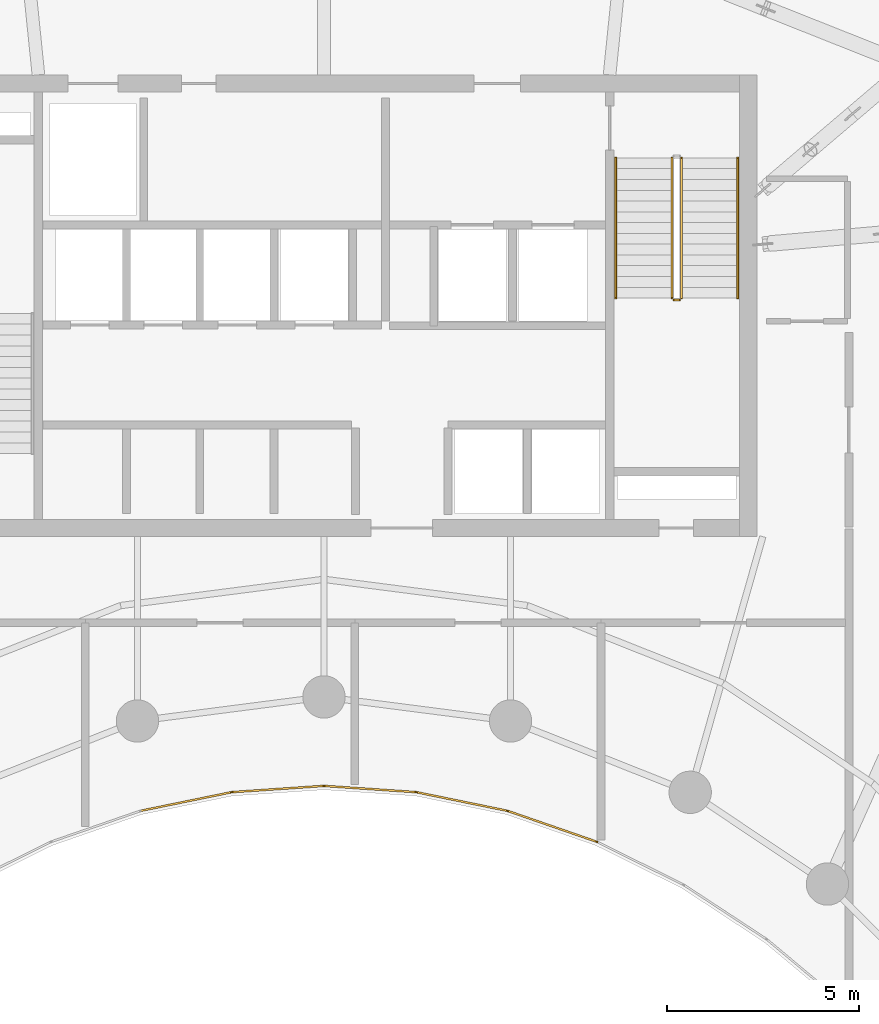
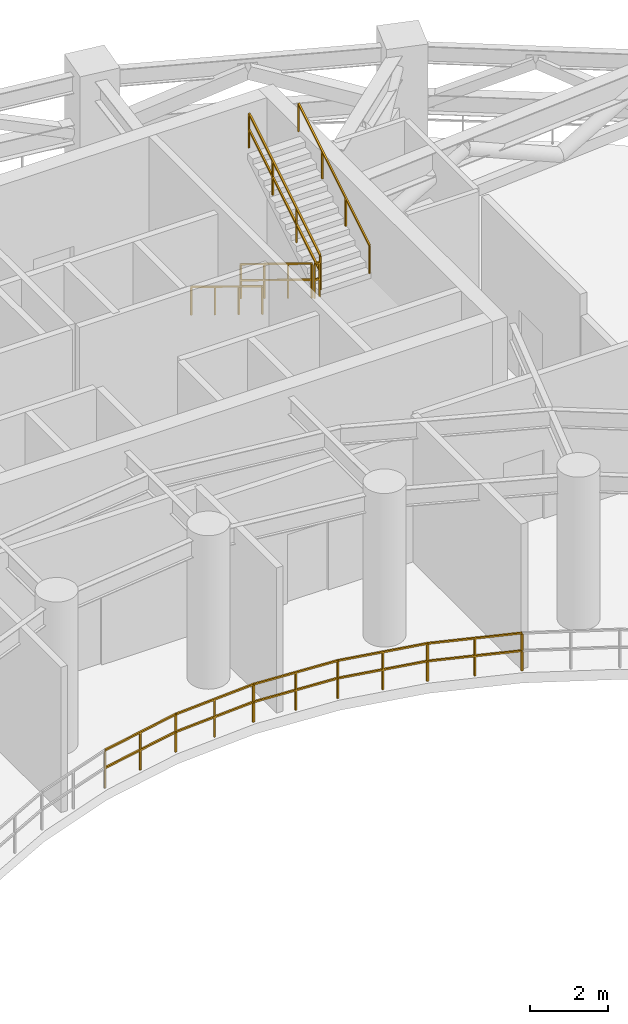
# One storey, part 16 of 19: 15 railings.
"""IFC4 building model written with IfcOpenShell, lengths in metres."""

from ifc_helpers import new_model, si_unit, direction, frame, origin, origin_2d, place, context, subcontext, project, spatial, rectangle, extrude, material, type_object, element, save


model = new_model("IFC4")

# Units and contexts
model_context = context("Model", 3, precision=1e-05, world=origin(), true_north=direction((0.0, 1.0)))
body_context = subcontext(model_context, "Body", "Model", "MODEL_VIEW")
ifc_project = project(units=[si_unit("LENGTHUNIT", "METRE"), si_unit("AREAUNIT", "SQUARE_METRE"), si_unit("VOLUMEUNIT", "CUBIC_METRE"), si_unit("PLANEANGLEUNIT", "RADIAN"), si_unit("MASSUNIT", "GRAM", prefix="KILO")], contexts=[model_context])

# Site, building, storey
site_placement = place(None, origin())
site = spatial("IfcSite", under=ifc_project, at=site_placement, CompositionType="ELEMENT")
building_placement = place(site_placement, origin())
building = spatial("IfcBuilding", under=site, at=building_placement, Name="Breltana Convention Tower", CompositionType="ELEMENT")
storey_placement = place(building_placement, frame((0.0, 0.0, 194.39990234375)))
storey = spatial("IfcBuildingStorey", under=building, at=storey_placement, Name="L47", CompositionType="ELEMENT", Elevation=194.39990234375)

# Railings
ifc_material_1 = material(Name="Steel S275 Painted", Category="steel")
railing_type_1 = type_object("IfcRailingType", Name="RL-STAIR-GUARD-1100", PredefinedType="GUARDRAIL", material=ifc_material_1)
railing_1_placement = place(storey_placement, frame((57.0400390625, 70.0400390625, 0.171630859375)))
element("IfcRailing", 1, at=railing_1_placement, inside=storey, type_object=railing_type_1, Name="L47 ST-2 stair guard 1", PredefinedType="GUARDRAIL", context=body_context, shape_type="SweptSolid", body=[
    extrude(rectangle(XDim=0.048095703125, YDim=0.048095703125, at=origin_2d()), frame((0.0, 0.0, 1.076171875), z_axis=(0.0, -0.852865859571, 0.52213008492), x_axis=(1.0, 0.0, 0.0)), (0.0, 0.0, 1.0), 4.26806640625),
    extrude(rectangle(XDim=0.048095703125, YDim=0.048095703125, at=origin_2d()), frame((0.0, 0.0, 0.572021484375), z_axis=(0.0, -0.852865859571, 0.52213008492), x_axis=(1.0, 0.0, 0.0)), (0.0, 0.0, 1.0), 4.26806640625),
    extrude(rectangle(XDim=0.0419921875, YDim=0.0419921875, at=origin_2d()), origin(), (0.0, 0.0, 1.0), 1.052001953125),
    extrude(rectangle(XDim=0.0419921875, YDim=0.0419921875, at=origin_2d()), frame((0.0, -1.21337890625, 0.742919921875)), (0.0, 0.0, 1.0), 1.052001953125),
    extrude(rectangle(XDim=0.0419921875, YDim=0.0419921875, at=origin_2d()), frame((0.0, -2.4267578125, 1.485595703125)), (0.0, 0.0, 1.0), 1.052001953125),
    extrude(rectangle(XDim=0.0419921875, YDim=0.0419921875, at=origin_2d()), frame((0.0, -3.64013671875, 2.228515625)), (0.0, 0.0, 1.0), 1.052001953125),
])
railing_2_placement = place(storey_placement, frame((57.090087890625, 66.35009765625, 2.400146484375)))
element("IfcRailing", 2, at=railing_2_placement, inside=storey, type_object=railing_type_1, Name="L47 ST-2 stair guard 2", PredefinedType="GUARDRAIL", context=body_context, shape_type="SweptSolid", body=[
    extrude(rectangle(XDim=0.048095703125, YDim=0.048095703125, at=origin_2d()), frame((0.0, 0.0, 1.076171875), z_axis=(1.0, 0.0, 0.0), x_axis=(0.0, 1.0, 0.0)), (0.0, 0.0, 1.0), 0.14990234375),
    extrude(rectangle(XDim=0.048095703125, YDim=0.048095703125, at=origin_2d()), frame((0.0, 0.0, 0.572021484375), z_axis=(1.0, 0.0, 0.0), x_axis=(0.0, 1.0, 0.0)), (0.0, 0.0, 1.0), 0.14990234375),
    extrude(rectangle(XDim=0.0419921875, YDim=0.0419921875, at=origin_2d()), origin(), (0.0, 0.0, 1.0), 1.052001953125),
    extrude(rectangle(XDim=0.0419921875, YDim=0.0419921875, at=origin_2d()), frame((0.14990234375, 0.0, 0.0)), (0.0, 0.0, 1.0), 1.052001953125),
])
railing_3_placement = place(storey_placement, frame((57.2900390625, 66.39990234375, 2.571533203125)))
element("IfcRailing", 3, at=railing_3_placement, inside=storey, type_object=railing_type_1, Name="L47 ST-2 stair guard 3", PredefinedType="GUARDRAIL", context=body_context, shape_type="SweptSolid", body=[
    extrude(rectangle(XDim=0.048095703125, YDim=0.048095703125, at=origin_2d()), frame((0.0, 0.0, 1.076171875), z_axis=(0.0, 0.852865859571, 0.52213008492), x_axis=(-1.0, 0.0, 0.0)), (0.0, 0.0, 1.0), 4.26806640625),
    extrude(rectangle(XDim=0.048095703125, YDim=0.048095703125, at=origin_2d()), frame((0.0, 0.0, 0.572021484375), z_axis=(0.0, 0.852865859571, 0.52213008492), x_axis=(-1.0, 0.0, 0.0)), (0.0, 0.0, 1.0), 4.26806640625),
    extrude(rectangle(XDim=0.0419921875, YDim=0.0419921875, at=origin_2d()), origin(), (0.0, 0.0, 1.0), 1.052001953125),
    extrude(rectangle(XDim=0.0419921875, YDim=0.0419921875, at=origin_2d()), frame((0.0, 1.21337890625, 0.742919921875)), (0.0, 0.0, 1.0), 1.052001953125),
    extrude(rectangle(XDim=0.0419921875, YDim=0.0419921875, at=origin_2d()), frame((0.0, 2.4267578125, 1.485595703125)), (0.0, 0.0, 1.0), 1.052001953125),
    extrude(rectangle(XDim=0.0419921875, YDim=0.0419921875, at=origin_2d()), frame((0.0, 3.64013671875, 2.228515625)), (0.0, 0.0, 1.0), 1.052001953125),
])
ifc_material_2 = material(Name="Stainless Steel 316L", Category="steel")
railing_type_2 = type_object("IfcRailingType", Name="RL-STAIR-HANDRAIL-900", PredefinedType="HANDRAIL", material=ifc_material_2)
railing_4_placement = place(storey_placement, frame((55.580078125, 70.0400390625, 0.171630859375)))
element("IfcRailing", 4, at=railing_4_placement, inside=storey, type_object=railing_type_2, Name="L47 ST-2 stair handrail 1", PredefinedType="HANDRAIL", context=body_context, shape_type="SweptSolid", body=[
    extrude(rectangle(XDim=0.048095703125, YDim=0.048095703125, at=origin_2d()), frame((0.0, 0.0, 0.8759765625), z_axis=(0.0, -0.852865859571, 0.52213008492), x_axis=(1.0, 0.0, 0.0)), (0.0, 0.0, 1.0), 4.26806640625),
    extrude(rectangle(XDim=0.0419921875, YDim=0.0419921875, at=origin_2d()), origin(), (0.0, 0.0, 1.0), 0.851806640625),
    extrude(rectangle(XDim=0.0419921875, YDim=0.0419921875, at=origin_2d()), frame((0.0, -1.21337890625, 0.742919921875)), (0.0, 0.0, 1.0), 0.851806640625),
    extrude(rectangle(XDim=0.0419921875, YDim=0.0419921875, at=origin_2d()), frame((0.0, -2.4267578125, 1.485595703125)), (0.0, 0.0, 1.0), 0.851806640625),
    extrude(rectangle(XDim=0.0419921875, YDim=0.0419921875, at=origin_2d()), frame((0.0, -3.64013671875, 2.228515625)), (0.0, 0.0, 1.0), 0.851806640625),
])
railing_5_placement = place(storey_placement, frame((58.75, 66.39990234375, 2.571533203125)))
element("IfcRailing", 5, at=railing_5_placement, inside=storey, type_object=railing_type_2, Name="L47 ST-2 stair handrail 2", PredefinedType="HANDRAIL", context=body_context, shape_type="SweptSolid", body=[
    extrude(rectangle(XDim=0.048095703125, YDim=0.048095703125, at=origin_2d()), frame((0.0, 0.0, 0.8759765625), z_axis=(0.0, 0.852865859571, 0.52213008492), x_axis=(-1.0, 0.0, 0.0)), (0.0, 0.0, 1.0), 4.26806640625),
    extrude(rectangle(XDim=0.0419921875, YDim=0.0419921875, at=origin_2d()), origin(), (0.0, 0.0, 1.0), 0.851806640625),
    extrude(rectangle(XDim=0.0419921875, YDim=0.0419921875, at=origin_2d()), frame((0.0, 1.21337890625, 0.742919921875)), (0.0, 0.0, 1.0), 0.851806640625),
    extrude(rectangle(XDim=0.0419921875, YDim=0.0419921875, at=origin_2d()), frame((0.0, 2.4267578125, 1.485595703125)), (0.0, 0.0, 1.0), 0.851806640625),
    extrude(rectangle(XDim=0.0419921875, YDim=0.0419921875, at=origin_2d()), frame((0.0, 3.64013671875, 2.228515625)), (0.0, 0.0, 1.0), 0.851806640625),
])
railing_type_3 = type_object("IfcRailingType", Name="RL-WIND-GUARD-1200", PredefinedType="BALUSTRADE", material=ifc_material_2)
railing_6_placement = place(storey_placement, frame((55.101806640625, 52.2666015625, 0.0)))
element("IfcRailing", 6, at=railing_6_placement, inside=storey, type_object=railing_type_3, Name="L47 perimeter balustrade 19", PredefinedType="BALUSTRADE", context=body_context, shape_type="SweptSolid", body=[
    extrude(rectangle(XDim=0.048095703125, YDim=0.048095703125, at=origin_2d()), frame((0.0, 0.0, 1.17578125), z_axis=(-0.923076923077, 0.384615384615, 0.0), x_axis=(-0.384615384615, -0.923076923077, 0.0)), (0.0, 0.0, 1.0), 0.0126953125),
    extrude(rectangle(XDim=0.048095703125, YDim=0.048095703125, at=origin_2d()), frame((0.0, 0.0, 0.6240234375), z_axis=(-0.923076923077, 0.384615384615, 0.0), x_axis=(-0.384615384615, -0.923076923077, 0.0)), (0.0, 0.0, 1.0), 0.0126953125),
    extrude(rectangle(XDim=0.0419921875, YDim=0.0419921875, at=origin_2d()), origin(), (0.0, 0.0, 1.0), 1.15185546875),
    extrude(rectangle(XDim=0.0419921875, YDim=0.0419921875, at=origin_2d()), frame((-0.01171875, 0.0048828125, 0.0)), (0.0, 0.0, 1.0), 1.15185546875),
])
railing_7_placement = place(storey_placement, frame((55.090087890625, 52.271484375, 0.0)))
element("IfcRailing", 7, at=railing_7_placement, inside=storey, type_object=railing_type_3, Name="L47 perimeter balustrade 20", PredefinedType="BALUSTRADE", context=body_context, shape_type="SweptSolid", body=[
    extrude(rectangle(XDim=0.048095703125, YDim=0.048095703125, at=origin_2d()), frame((0.0, 0.0, 1.17578125), z_axis=(-0.944895881639, 0.327371001865, 0.0), x_axis=(-0.327371001865, -0.944895881639, 0.0)), (0.0, 0.0, 1.0), 2.44677734375),
    extrude(rectangle(XDim=0.048095703125, YDim=0.048095703125, at=origin_2d()), frame((0.0, 0.0, 0.6240234375), z_axis=(-0.944895881639, 0.327371001865, 0.0), x_axis=(-0.327371001865, -0.944895881639, 0.0)), (0.0, 0.0, 1.0), 2.44677734375),
    extrude(rectangle(XDim=0.0419921875, YDim=0.0419921875, at=origin_2d()), origin(), (0.0, 0.0, 1.0), 1.15185546875),
    extrude(rectangle(XDim=0.0419921875, YDim=0.0419921875, at=origin_2d()), frame((-1.156005859375, 0.400390625, 0.0)), (0.0, 0.0, 1.0), 1.15185546875),
    extrude(rectangle(XDim=0.0419921875, YDim=0.0419921875, at=origin_2d()), frame((-2.31201171875, 0.801025390625, 0.0)), (0.0, 0.0, 1.0), 1.15185546875),
])
railing_8_placement = place(storey_placement, frame((52.778076171875, 53.072509765625, 0.0)))
element("IfcRailing", 8, at=railing_8_placement, inside=storey, type_object=railing_type_3, Name="L47 perimeter balustrade 21", PredefinedType="BALUSTRADE", context=body_context, shape_type="SweptSolid", body=[
    extrude(rectangle(XDim=0.048095703125, YDim=0.048095703125, at=origin_2d()), frame((0.0, 0.0, 1.17578125), z_axis=(-0.960823591181, 0.277160651302, 0.0), x_axis=(-0.277160651302, -0.960823591181, 0.0)), (0.0, 0.0, 1.0), 0.01318359375),
    extrude(rectangle(XDim=0.048095703125, YDim=0.048095703125, at=origin_2d()), frame((0.0, 0.0, 0.6240234375), z_axis=(-0.960823591181, 0.277160651302, 0.0), x_axis=(-0.277160651302, -0.960823591181, 0.0)), (0.0, 0.0, 1.0), 0.01318359375),
    extrude(rectangle(XDim=0.0419921875, YDim=0.0419921875, at=origin_2d()), origin(), (0.0, 0.0, 1.0), 1.15185546875),
    extrude(rectangle(XDim=0.0419921875, YDim=0.0419921875, at=origin_2d()), frame((-0.0126953125, 0.003662109375, 0.0)), (0.0, 0.0, 1.0), 1.15185546875),
])
railing_9_placement = place(storey_placement, frame((52.765380859375, 53.076171875, 0.0)))
element("IfcRailing", 9, at=railing_9_placement, inside=storey, type_object=railing_type_3, Name="L47 perimeter balustrade 22", PredefinedType="BALUSTRADE", context=body_context, shape_type="SweptSolid", body=[
    extrude(rectangle(XDim=0.048095703125, YDim=0.048095703125, at=origin_2d()), frame((0.0, 0.0, 1.17578125), z_axis=(-0.979626219615, 0.200829454621, 0.0), x_axis=(-0.200829454621, -0.979626219615, 0.0)), (0.0, 0.0, 1.0), 2.409423828125),
    extrude(rectangle(XDim=0.048095703125, YDim=0.048095703125, at=origin_2d()), frame((0.0, 0.0, 0.6240234375), z_axis=(-0.979626219615, 0.200829454621, 0.0), x_axis=(-0.200829454621, -0.979626219615, 0.0)), (0.0, 0.0, 1.0), 2.409423828125),
    extrude(rectangle(XDim=0.0419921875, YDim=0.0419921875, at=origin_2d()), origin(), (0.0, 0.0, 1.0), 1.15185546875),
    extrude(rectangle(XDim=0.0419921875, YDim=0.0419921875, at=origin_2d()), frame((-1.18017578125, 0.241943359375, 0.0)), (0.0, 0.0, 1.0), 1.15185546875),
    extrude(rectangle(XDim=0.0419921875, YDim=0.0419921875, at=origin_2d()), frame((-2.3603515625, 0.48388671875, 0.0)), (0.0, 0.0, 1.0), 1.15185546875),
])
railing_10_placement = place(storey_placement, frame((50.405029296875, 53.56005859375, 0.0)))
element("IfcRailing", 10, at=railing_10_placement, inside=storey, type_object=railing_type_3, Name="L47 perimeter balustrade 23", PredefinedType="BALUSTRADE", context=body_context, shape_type="SweptSolid", body=[
    extrude(rectangle(XDim=0.048095703125, YDim=0.048095703125, at=origin_2d()), frame((0.0, 0.0, 1.17578125), z_axis=(-0.989586439285, 0.143939845714, 0.0), x_axis=(-0.143939845714, -0.989586439285, 0.0)), (0.0, 0.0, 1.0), 0.013671875),
    extrude(rectangle(XDim=0.048095703125, YDim=0.048095703125, at=origin_2d()), frame((0.0, 0.0, 0.6240234375), z_axis=(-0.989586439285, 0.143939845714, 0.0), x_axis=(-0.143939845714, -0.989586439285, 0.0)), (0.0, 0.0, 1.0), 0.013671875),
    extrude(rectangle(XDim=0.0419921875, YDim=0.0419921875, at=origin_2d()), origin(), (0.0, 0.0, 1.0), 1.15185546875),
    extrude(rectangle(XDim=0.0419921875, YDim=0.0419921875, at=origin_2d()), frame((-0.013427734375, 0.001953125, 0.0)), (0.0, 0.0, 1.0), 1.15185546875),
])
railing_11_placement = place(storey_placement, frame((50.3916015625, 53.56201171875, 0.0)))
element("IfcRailing", 11, at=railing_11_placement, inside=storey, type_object=railing_type_3, Name="L47 perimeter balustrade 24", PredefinedType="BALUSTRADE", context=body_context, shape_type="SweptSolid", body=[
    extrude(rectangle(XDim=0.048095703125, YDim=0.048095703125, at=origin_2d()), frame((0.0, 0.0, 1.17578125), z_axis=(-0.997704441679, 0.067718882559, 0.0), x_axis=(-0.067718882559, -0.997704441679, 0.0)), (0.0, 0.0, 1.0), 2.39013671875),
    extrude(rectangle(XDim=0.048095703125, YDim=0.048095703125, at=origin_2d()), frame((0.0, 0.0, 0.6240234375), z_axis=(-0.997704441679, 0.067718882559, 0.0), x_axis=(-0.067718882559, -0.997704441679, 0.0)), (0.0, 0.0, 1.0), 2.39013671875),
    extrude(rectangle(XDim=0.0419921875, YDim=0.0419921875, at=origin_2d()), origin(), (0.0, 0.0, 1.0), 1.15185546875),
    extrude(rectangle(XDim=0.0419921875, YDim=0.0419921875, at=origin_2d()), frame((-1.1923828125, 0.0810546875, 0.0)), (0.0, 0.0, 1.0), 1.15185546875),
    extrude(rectangle(XDim=0.0419921875, YDim=0.0419921875, at=origin_2d()), frame((-2.384765625, 0.161865234375, 0.0)), (0.0, 0.0, 1.0), 1.15185546875),
])
railing_12_placement = place(storey_placement, frame((48.0068359375, 53.723876953125, 0.0)))
element("IfcRailing", 12, at=railing_12_placement, inside=storey, type_object=railing_type_3, Name="L47 perimeter balustrade 25", PredefinedType="BALUSTRADE", context=body_context, shape_type="SweptSolid", body=[
    extrude(rectangle(XDim=0.048095703125, YDim=0.048095703125, at=origin_2d()), frame((0.0, 0.0, 1.17578125), z_axis=(-1.0, 0.0, 0.0), x_axis=(0.0, -1.0, 0.0)), (0.0, 0.0, 1.0), 0.013671875),
    extrude(rectangle(XDim=0.048095703125, YDim=0.048095703125, at=origin_2d()), frame((0.0, 0.0, 0.6240234375), z_axis=(-1.0, 0.0, 0.0), x_axis=(0.0, -1.0, 0.0)), (0.0, 0.0, 1.0), 0.013671875),
    extrude(rectangle(XDim=0.0419921875, YDim=0.0419921875, at=origin_2d()), origin(), (0.0, 0.0, 1.0), 1.15185546875),
    extrude(rectangle(XDim=0.0419921875, YDim=0.0419921875, at=origin_2d()), frame((-0.013671875, 0.0, 0.0)), (0.0, 0.0, 1.0), 1.15185546875),
])
railing_13_placement = place(storey_placement, frame((47.9931640625, 53.723876953125, 0.0)))
element("IfcRailing", 13, at=railing_13_placement, inside=storey, type_object=railing_type_3, Name="L47 perimeter balustrade 26", PredefinedType="BALUSTRADE", context=body_context, shape_type="SweptSolid", body=[
    extrude(rectangle(XDim=0.048095703125, YDim=0.048095703125, at=origin_2d()), frame((0.0, 0.0, 1.17578125), z_axis=(-0.997704441679, -0.067718882559, 0.0), x_axis=(0.067718882559, -0.997704441679, 0.0)), (0.0, 0.0, 1.0), 2.39013671875),
    extrude(rectangle(XDim=0.048095703125, YDim=0.048095703125, at=origin_2d()), frame((0.0, 0.0, 0.6240234375), z_axis=(-0.997704441679, -0.067718882559, 0.0), x_axis=(0.067718882559, -0.997704441679, 0.0)), (0.0, 0.0, 1.0), 2.39013671875),
    extrude(rectangle(XDim=0.0419921875, YDim=0.0419921875, at=origin_2d()), origin(), (0.0, 0.0, 1.0), 1.15185546875),
    extrude(rectangle(XDim=0.0419921875, YDim=0.0419921875, at=origin_2d()), frame((-1.1923828125, -0.0810546875, 0.0)), (0.0, 0.0, 1.0), 1.15185546875),
    extrude(rectangle(XDim=0.0419921875, YDim=0.0419921875, at=origin_2d()), frame((-2.384765625, -0.161865234375, 0.0)), (0.0, 0.0, 1.0), 1.15185546875),
])
railing_14_placement = place(storey_placement, frame((45.6083984375, 53.56201171875, 0.0)))
element("IfcRailing", 14, at=railing_14_placement, inside=storey, type_object=railing_type_3, Name="L47 perimeter balustrade 27", PredefinedType="BALUSTRADE", context=body_context, shape_type="SweptSolid", body=[
    extrude(rectangle(XDim=0.048095703125, YDim=0.048095703125, at=origin_2d()), frame((0.0, 0.0, 1.17578125), z_axis=(-0.989586439285, -0.143939845714, 0.0), x_axis=(0.143939845714, -0.989586439285, 0.0)), (0.0, 0.0, 1.0), 0.013671875),
    extrude(rectangle(XDim=0.048095703125, YDim=0.048095703125, at=origin_2d()), frame((0.0, 0.0, 0.6240234375), z_axis=(-0.989586439285, -0.143939845714, 0.0), x_axis=(0.143939845714, -0.989586439285, 0.0)), (0.0, 0.0, 1.0), 0.013671875),
    extrude(rectangle(XDim=0.0419921875, YDim=0.0419921875, at=origin_2d()), origin(), (0.0, 0.0, 1.0), 1.15185546875),
    extrude(rectangle(XDim=0.0419921875, YDim=0.0419921875, at=origin_2d()), frame((-0.013427734375, -0.001953125, 0.0)), (0.0, 0.0, 1.0), 1.15185546875),
])
railing_15_placement = place(storey_placement, frame((45.594970703125, 53.56005859375, 0.0)))
element("IfcRailing", 15, at=railing_15_placement, inside=storey, type_object=railing_type_3, Name="L47 perimeter balustrade 28", PredefinedType="BALUSTRADE", context=body_context, shape_type="SweptSolid", body=[
    extrude(rectangle(XDim=0.048095703125, YDim=0.048095703125, at=origin_2d()), frame((0.0, 0.0, 1.17578125), z_axis=(-0.979626219615, -0.200829454621, 0.0), x_axis=(0.200829454621, -0.979626219615, 0.0)), (0.0, 0.0, 1.0), 2.409423828125),
    extrude(rectangle(XDim=0.048095703125, YDim=0.048095703125, at=origin_2d()), frame((0.0, 0.0, 0.6240234375), z_axis=(-0.979626219615, -0.200829454621, 0.0), x_axis=(0.200829454621, -0.979626219615, 0.0)), (0.0, 0.0, 1.0), 2.409423828125),
    extrude(rectangle(XDim=0.0419921875, YDim=0.0419921875, at=origin_2d()), origin(), (0.0, 0.0, 1.0), 1.15185546875),
    extrude(rectangle(XDim=0.0419921875, YDim=0.0419921875, at=origin_2d()), frame((-1.18017578125, -0.241943359375, 0.0)), (0.0, 0.0, 1.0), 1.15185546875),
    extrude(rectangle(XDim=0.0419921875, YDim=0.0419921875, at=origin_2d()), frame((-2.3603515625, -0.48388671875, 0.0)), (0.0, 0.0, 1.0), 1.15185546875),
])

save(model, "model.ifc")
